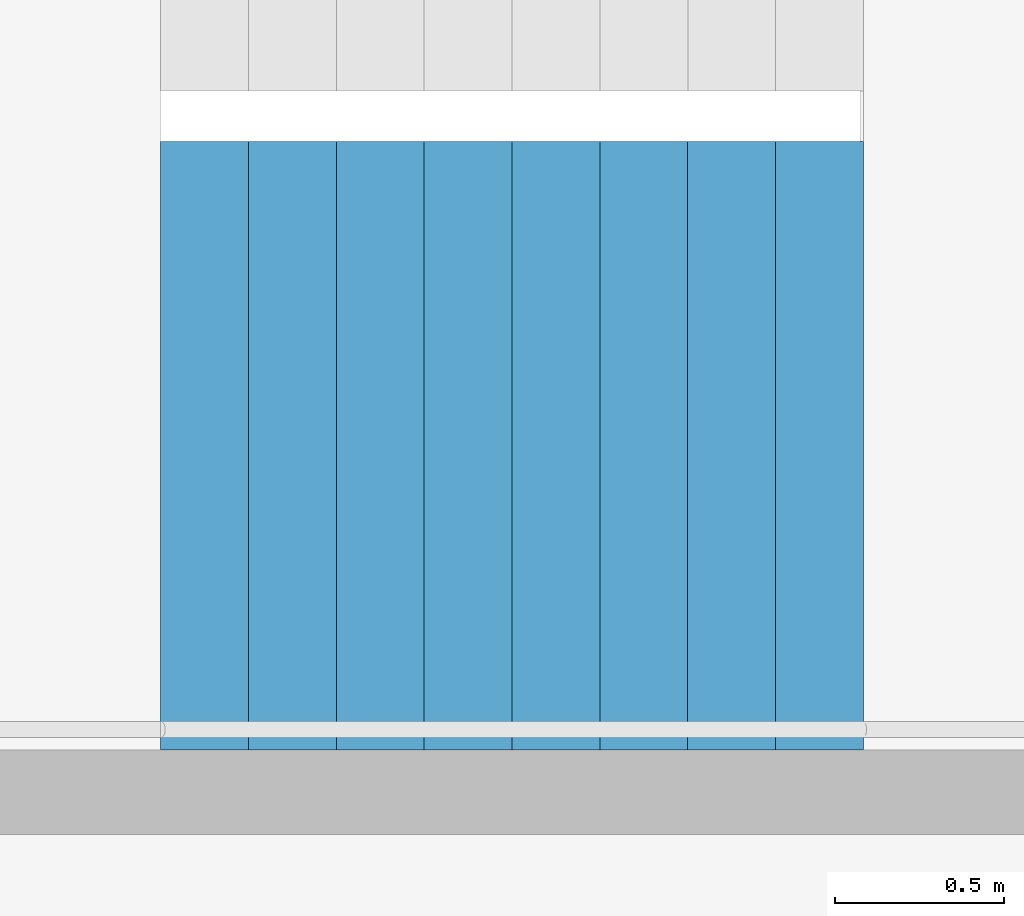
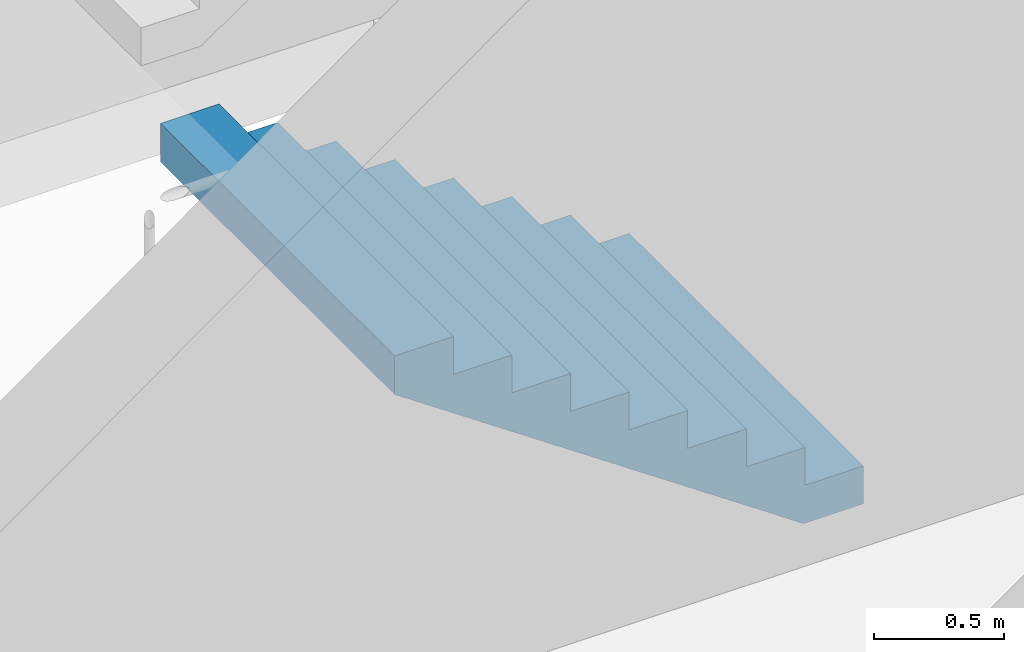
# One storey, part 27 of 41: 1 stair flight, 1 element without a shape of its own.
"""IFC4 building model written with IfcOpenShell, lengths in metres."""

from ifc_helpers import new_model, si_unit, direction, frame, origin, place, context, subcontext, project, spatial, triangles, material, type_object, element, aggregate, save


model = new_model("IFC4")

# Units and contexts
model_context = context("Model", 3, precision=1e-05, world=origin(), true_north=direction((0.0, 1.0)))
body_context = subcontext(model_context, "Body", "Model", "MODEL_VIEW")
ifc_project = project(units=[si_unit("LENGTHUNIT", "METRE"), si_unit("AREAUNIT", "SQUARE_METRE"), si_unit("VOLUMEUNIT", "CUBIC_METRE"), si_unit("PLANEANGLEUNIT", "RADIAN"), si_unit("MASSUNIT", "GRAM", prefix="KILO")], contexts=[model_context])

# Site, building, storey
site_placement = place(None, origin())
site = spatial("IfcSite", under=ifc_project, at=site_placement, CompositionType="ELEMENT")
building_placement = place(site_placement, origin())
building = spatial("IfcBuilding", under=site, at=building_placement, Name="Hakoniwa Tower and Hamabe Station Hall", CompositionType="ELEMENT")
storey_placement = place(building_placement, frame((0.0, 0.0, 180.199951171875)))
storey = spatial("IfcBuildingStorey", under=building, at=storey_placement, Name="L51", CompositionType="ELEMENT", Elevation=180.199951171875)

# Stair, stair flight
ifc_material_1 = material(Name="Concrete C40", Category="concrete")
stair_type = type_object("IfcStairType", Name="ESCAPE STAIR 1800", PredefinedType="HALF_TURN_STAIR", material=ifc_material_1)
stair_placement = place(storey_placement, origin())
stair = element("IfcStair", 1, at=stair_placement, inside=storey, type_object=stair_type, Name="Escape stair ST-3 L51", PredefinedType="HALF_TURN_STAIR")
ifc_material_2 = material(Name="Concrete C40", Category="concrete")
stair_flight_type = type_object("IfcStairFlightType", Name="STAIR FLIGHT 1800", PredefinedType="STRAIGHT", material=ifc_material_2)
stair_flight_placement = place(storey_placement, frame((24.39990234375, 4.64990234375, 0.0), z_axis=(0.0, 0.0, 1.0), x_axis=(-1.0, 0.0, 0.0)))
stair_flight = element("IfcStairFlight", 2, at=stair_flight_placement, type_object=stair_flight_type, Name="ST-3 flight 1", NumberOfRisers=9, NumberOfTreads=8, PredefinedType="STRAIGHT", RiserHeight=0.177777778, TreadLength=0.26, context=body_context, shape_type="Tessellation", body=[
    triangles([(0.0, 0.89990234375, 0.0), (0.260009765625, 0.89990234375, 0.0), (0.265625, 0.89990234375, 0.0), (0.52001953125, 0.89990234375, 0.174072265625), (0.780029296875, 0.89990234375, 0.351806640625), (1.0400390625, 0.89990234375, 0.529541015625), (1.300048828125, 0.89990234375, 0.707275390625), (1.56005859375, 0.89990234375, 0.885009765625), (1.820068359375, 0.89990234375, 1.062744140625), (2.080078125, 0.89990234375, 1.24072265625), (2.080078125, 0.89990234375, 1.422119140625), (1.820068359375, 0.89990234375, 1.422119140625), (1.820068359375, 0.89990234375, 1.244384765625), (1.56005859375, 0.89990234375, 1.244384765625), (1.56005859375, 0.89990234375, 1.066650390625), (1.300048828125, 0.89990234375, 1.066650390625), (1.300048828125, 0.89990234375, 0.888916015625), (1.0400390625, 0.89990234375, 0.888916015625), (1.0400390625, 0.89990234375, 0.711181640625), (0.780029296875, 0.89990234375, 0.711181640625), (0.780029296875, 0.89990234375, 0.533447265625), (0.52001953125, 0.89990234375, 0.533447265625), (0.52001953125, 0.89990234375, 0.35546875), (0.265625, 0.89990234375, 0.35546875), (0.260009765625, 0.89990234375, 0.35546875), (0.260009765625, 0.89990234375, 0.177734375), (0.0, 0.89990234375, 0.177734375), (0.0, 0.06005859375, 0.0), (0.260009765625, 0.06005859375, 0.0), (0.265625, 0.06005859375, 0.0), (0.52001953125, 0.06005859375, 0.174072265625), (0.780029296875, 0.06005859375, 0.351806640625), (1.0400390625, 0.06005859375, 0.529541015625), (1.300048828125, 0.06005859375, 0.707275390625), (1.56005859375, 0.06005859375, 0.885009765625), (1.820068359375, 0.06005859375, 1.062744140625), (2.080078125, 0.06005859375, 1.24072265625), (2.080078125, 0.06005859375, 1.422119140625), (1.820068359375, 0.06005859375, 1.422119140625), (1.820068359375, 0.06005859375, 1.244384765625), (1.56005859375, 0.06005859375, 1.244384765625), (1.56005859375, 0.06005859375, 1.066650390625), (1.300048828125, 0.06005859375, 1.066650390625), (1.300048828125, 0.06005859375, 0.888916015625), (1.0400390625, 0.06005859375, 0.888916015625), (1.0400390625, 0.06005859375, 0.711181640625), (0.780029296875, 0.06005859375, 0.711181640625), (0.780029296875, 0.06005859375, 0.533447265625), (0.52001953125, 0.06005859375, 0.533447265625), (0.52001953125, 0.06005859375, 0.35546875), (0.265625, 0.06005859375, 0.35546875), (0.260009765625, 0.06005859375, 0.35546875), (0.260009765625, 0.06005859375, 0.177734375), (0.0, 0.06005859375, 0.177734375), (0.0, 0.04296875, 0.0), (0.260009765625, 0.04296875, 0.0), (0.265625, 0.04296875, 0.0), (0.52001953125, 0.04296875, 0.174072265625), (0.780029296875, 0.04296875, 0.351806640625), (1.0400390625, 0.04296875, 0.529541015625), (1.300048828125, 0.04296875, 0.707275390625), (1.56005859375, 0.04296875, 0.885009765625), (1.820068359375, 0.04296875, 1.062744140625), (2.080078125, 0.04296875, 1.24072265625), (2.080078125, 0.04296875, 1.422119140625), (1.820068359375, 0.04296875, 1.422119140625), (1.820068359375, 0.04296875, 1.244384765625), (1.56005859375, 0.04296875, 1.244384765625), (1.56005859375, 0.04296875, 1.066650390625), (1.300048828125, 0.04296875, 1.066650390625), (1.300048828125, 0.04296875, 0.888916015625), (1.0400390625, 0.04296875, 0.888916015625), (1.0400390625, 0.04296875, 0.711181640625), (0.780029296875, 0.04296875, 0.711181640625), (0.780029296875, 0.04296875, 0.533447265625), (0.52001953125, 0.04296875, 0.533447265625), (0.52001953125, 0.04296875, 0.35546875), (0.265625, 0.04296875, 0.35546875), (0.260009765625, 0.04296875, 0.35546875), (0.260009765625, 0.04296875, 0.177734375), (0.0, 0.04296875, 0.177734375), (0.0, 0.025634765625, 0.0), (0.260009765625, 0.025634765625, 0.0), (0.265625, 0.025634765625, 0.0), (0.52001953125, 0.025634765625, 0.174072265625), (0.780029296875, 0.025634765625, 0.351806640625), (1.0400390625, 0.025634765625, 0.529541015625), (1.300048828125, 0.025634765625, 0.707275390625), (1.56005859375, 0.025634765625, 0.885009765625), (1.820068359375, 0.025634765625, 1.062744140625), (2.080078125, 0.025634765625, 1.24072265625), (2.080078125, 0.025634765625, 1.422119140625), (1.820068359375, 0.025634765625, 1.422119140625), (1.820068359375, 0.025634765625, 1.244384765625), (1.56005859375, 0.025634765625, 1.244384765625), (1.56005859375, 0.025634765625, 1.066650390625), (1.300048828125, 0.025634765625, 1.066650390625), (1.300048828125, 0.025634765625, 0.888916015625), (1.0400390625, 0.025634765625, 0.888916015625), (1.0400390625, 0.025634765625, 0.711181640625), (0.780029296875, 0.025634765625, 0.711181640625), (0.780029296875, 0.025634765625, 0.533447265625), (0.52001953125, 0.025634765625, 0.533447265625), (0.52001953125, 0.025634765625, 0.35546875), (0.265625, 0.025634765625, 0.35546875), (0.260009765625, 0.025634765625, 0.35546875), (0.260009765625, 0.025634765625, 0.177734375), (0.0, 0.025634765625, 0.177734375), (0.0, 0.008544921875, 0.0), (0.260009765625, 0.008544921875, 0.0), (0.265625, 0.008544921875, 0.0), (0.52001953125, 0.008544921875, 0.174072265625), (0.780029296875, 0.008544921875, 0.351806640625), (1.0400390625, 0.008544921875, 0.529541015625), (1.300048828125, 0.008544921875, 0.707275390625), (1.56005859375, 0.008544921875, 0.885009765625), (1.820068359375, 0.008544921875, 1.062744140625), (2.080078125, 0.008544921875, 1.24072265625), (2.080078125, 0.008544921875, 1.422119140625), (1.820068359375, 0.008544921875, 1.422119140625), (1.820068359375, 0.008544921875, 1.244384765625), (1.56005859375, 0.008544921875, 1.244384765625), (1.56005859375, 0.008544921875, 1.066650390625), (1.300048828125, 0.008544921875, 1.066650390625), (1.300048828125, 0.008544921875, 0.888916015625), (1.0400390625, 0.008544921875, 0.888916015625), (1.0400390625, 0.008544921875, 0.711181640625), (0.780029296875, 0.008544921875, 0.711181640625), (0.780029296875, 0.008544921875, 0.533447265625), (0.52001953125, 0.008544921875, 0.533447265625), (0.52001953125, 0.008544921875, 0.35546875), (0.265625, 0.008544921875, 0.35546875), (0.260009765625, 0.008544921875, 0.35546875), (0.260009765625, 0.008544921875, 0.177734375), (0.0, 0.008544921875, 0.177734375), (0.0, -0.008544921875, 0.0), (0.260009765625, -0.008544921875, 0.0), (0.265625, -0.008544921875, 0.0), (0.52001953125, -0.008544921875, 0.174072265625), (0.780029296875, -0.008544921875, 0.351806640625), (1.0400390625, -0.008544921875, 0.529541015625), (1.300048828125, -0.008544921875, 0.707275390625), (1.56005859375, -0.008544921875, 0.885009765625), (1.820068359375, -0.008544921875, 1.062744140625), (2.080078125, -0.008544921875, 1.24072265625), (2.080078125, -0.008544921875, 1.422119140625), (1.820068359375, -0.008544921875, 1.422119140625), (1.820068359375, -0.008544921875, 1.244384765625), (1.56005859375, -0.008544921875, 1.244384765625), (1.56005859375, -0.008544921875, 1.066650390625), (1.300048828125, -0.008544921875, 1.066650390625), (1.300048828125, -0.008544921875, 0.888916015625), (1.0400390625, -0.008544921875, 0.888916015625), (1.0400390625, -0.008544921875, 0.711181640625), (0.780029296875, -0.008544921875, 0.711181640625), (0.780029296875, -0.008544921875, 0.533447265625), (0.52001953125, -0.008544921875, 0.533447265625), (0.52001953125, -0.008544921875, 0.35546875), (0.265625, -0.008544921875, 0.35546875), (0.260009765625, -0.008544921875, 0.35546875), (0.260009765625, -0.008544921875, 0.177734375), (0.0, -0.008544921875, 0.177734375), (0.0, -0.025634765625, 0.0), (0.260009765625, -0.025634765625, 0.0), (0.265625, -0.025634765625, 0.0), (0.52001953125, -0.025634765625, 0.174072265625), (0.780029296875, -0.025634765625, 0.351806640625), (1.0400390625, -0.025634765625, 0.529541015625), (1.300048828125, -0.025634765625, 0.707275390625), (1.56005859375, -0.025634765625, 0.885009765625), (1.820068359375, -0.025634765625, 1.062744140625), (2.080078125, -0.025634765625, 1.24072265625), (2.080078125, -0.025634765625, 1.422119140625), (1.820068359375, -0.025634765625, 1.422119140625), (1.820068359375, -0.025634765625, 1.244384765625), (1.56005859375, -0.025634765625, 1.244384765625), (1.56005859375, -0.025634765625, 1.066650390625), (1.300048828125, -0.025634765625, 1.066650390625), (1.300048828125, -0.025634765625, 0.888916015625), (1.0400390625, -0.025634765625, 0.888916015625), (1.0400390625, -0.025634765625, 0.711181640625), (0.780029296875, -0.025634765625, 0.711181640625), (0.780029296875, -0.025634765625, 0.533447265625), (0.52001953125, -0.025634765625, 0.533447265625), (0.52001953125, -0.025634765625, 0.35546875), (0.265625, -0.025634765625, 0.35546875), (0.260009765625, -0.025634765625, 0.35546875), (0.260009765625, -0.025634765625, 0.177734375), (0.0, -0.025634765625, 0.177734375), (0.0, -0.04296875, 0.0), (0.260009765625, -0.04296875, 0.0), (0.265625, -0.04296875, 0.0), (0.52001953125, -0.04296875, 0.174072265625), (0.780029296875, -0.04296875, 0.351806640625), (1.0400390625, -0.04296875, 0.529541015625), (1.300048828125, -0.04296875, 0.707275390625), (1.56005859375, -0.04296875, 0.885009765625), (1.820068359375, -0.04296875, 1.062744140625), (2.080078125, -0.04296875, 1.24072265625), (2.080078125, -0.04296875, 1.422119140625), (1.820068359375, -0.04296875, 1.422119140625), (1.820068359375, -0.04296875, 1.244384765625), (1.56005859375, -0.04296875, 1.244384765625), (1.56005859375, -0.04296875, 1.066650390625), (1.300048828125, -0.04296875, 1.066650390625), (1.300048828125, -0.04296875, 0.888916015625), (1.0400390625, -0.04296875, 0.888916015625), (1.0400390625, -0.04296875, 0.711181640625), (0.780029296875, -0.04296875, 0.711181640625), (0.780029296875, -0.04296875, 0.533447265625), (0.52001953125, -0.04296875, 0.533447265625), (0.52001953125, -0.04296875, 0.35546875), (0.265625, -0.04296875, 0.35546875), (0.260009765625, -0.04296875, 0.35546875), (0.260009765625, -0.04296875, 0.177734375), (0.0, -0.04296875, 0.177734375), (0.0, -0.06005859375, 0.0), (0.260009765625, -0.06005859375, 0.0), (0.265625, -0.06005859375, 0.0), (0.52001953125, -0.06005859375, 0.174072265625), (0.780029296875, -0.06005859375, 0.351806640625), (1.0400390625, -0.06005859375, 0.529541015625), (1.300048828125, -0.06005859375, 0.707275390625), (1.56005859375, -0.06005859375, 0.885009765625), (1.820068359375, -0.06005859375, 1.062744140625), (2.080078125, -0.06005859375, 1.24072265625), (2.080078125, -0.06005859375, 1.422119140625), (1.820068359375, -0.06005859375, 1.422119140625), (1.820068359375, -0.06005859375, 1.244384765625), (1.56005859375, -0.06005859375, 1.244384765625), (1.56005859375, -0.06005859375, 1.066650390625), (1.300048828125, -0.06005859375, 1.066650390625), (1.300048828125, -0.06005859375, 0.888916015625), (1.0400390625, -0.06005859375, 0.888916015625), (1.0400390625, -0.06005859375, 0.711181640625), (0.780029296875, -0.06005859375, 0.711181640625), (0.780029296875, -0.06005859375, 0.533447265625), (0.52001953125, -0.06005859375, 0.533447265625), (0.52001953125, -0.06005859375, 0.35546875), (0.265625, -0.06005859375, 0.35546875), (0.260009765625, -0.06005859375, 0.35546875), (0.260009765625, -0.06005859375, 0.177734375), (0.0, -0.06005859375, 0.177734375), (0.0, -0.89990234375, 0.0), (0.260009765625, -0.89990234375, 0.0), (0.265625, -0.89990234375, 0.0), (0.52001953125, -0.89990234375, 0.174072265625), (0.780029296875, -0.89990234375, 0.351806640625), (1.0400390625, -0.89990234375, 0.529541015625), (1.300048828125, -0.89990234375, 0.707275390625), (1.56005859375, -0.89990234375, 0.885009765625), (1.820068359375, -0.89990234375, 1.062744140625), (2.080078125, -0.89990234375, 1.24072265625), (2.080078125, -0.89990234375, 1.422119140625), (1.820068359375, -0.89990234375, 1.422119140625), (1.820068359375, -0.89990234375, 1.244384765625), (1.56005859375, -0.89990234375, 1.244384765625), (1.56005859375, -0.89990234375, 1.066650390625), (1.300048828125, -0.89990234375, 1.066650390625), (1.300048828125, -0.89990234375, 0.888916015625), (1.0400390625, -0.89990234375, 0.888916015625), (1.0400390625, -0.89990234375, 0.711181640625), (0.780029296875, -0.89990234375, 0.711181640625), (0.780029296875, -0.89990234375, 0.533447265625), (0.52001953125, -0.89990234375, 0.533447265625), (0.52001953125, -0.89990234375, 0.35546875), (0.265625, -0.89990234375, 0.35546875), (0.260009765625, -0.89990234375, 0.35546875), (0.260009765625, -0.89990234375, 0.177734375), (0.0, -0.89990234375, 0.177734375)], [[2, 27, 26], [245, 269, 270], [2, 1, 27], [245, 270, 244], [3, 25, 24], [246, 267, 268], [3, 26, 25], [246, 268, 269], [3, 2, 26], [246, 269, 245], [4, 24, 23], [247, 266, 267], [4, 3, 24], [247, 267, 246], [5, 22, 21], [248, 264, 265], [5, 23, 22], [248, 265, 266], [5, 4, 23], [248, 266, 247], [6, 20, 19], [249, 262, 263], [6, 21, 20], [249, 263, 264], [6, 5, 21], [249, 264, 248], [7, 18, 17], [250, 260, 261], [7, 19, 18], [250, 261, 262], [7, 6, 19], [250, 262, 249], [8, 16, 15], [251, 258, 259], [8, 17, 16], [251, 259, 260], [8, 7, 17], [251, 260, 250], [9, 14, 13], [252, 256, 257], [9, 15, 14], [252, 257, 258], [9, 8, 15], [252, 258, 251], [10, 12, 11], [253, 254, 255], [10, 13, 12], [253, 255, 256], [10, 9, 13], [253, 256, 252], [1, 2, 29], [1, 29, 28], [28, 29, 56], [28, 56, 55], [55, 56, 83], [55, 83, 82], [82, 83, 110], [82, 110, 109], [109, 110, 137], [109, 137, 136], [136, 137, 164], [136, 164, 163], [163, 164, 191], [163, 191, 190], [190, 191, 218], [190, 218, 217], [217, 218, 245], [217, 245, 244], [2, 3, 30], [2, 30, 29], [29, 30, 57], [29, 57, 56], [56, 57, 84], [56, 84, 83], [83, 84, 111], [83, 111, 110], [110, 111, 138], [110, 138, 137], [137, 138, 165], [137, 165, 164], [164, 165, 192], [164, 192, 191], [191, 192, 219], [191, 219, 218], [218, 219, 246], [218, 246, 245], [3, 4, 31], [3, 31, 30], [30, 31, 58], [30, 58, 57], [57, 58, 85], [57, 85, 84], [84, 85, 112], [84, 112, 111], [111, 112, 139], [111, 139, 138], [138, 139, 166], [138, 166, 165], [165, 166, 193], [165, 193, 192], [192, 193, 220], [192, 220, 219], [219, 220, 247], [219, 247, 246], [4, 5, 32], [4, 32, 31], [31, 32, 59], [31, 59, 58], [58, 59, 86], [58, 86, 85], [85, 86, 113], [85, 113, 112], [112, 113, 140], [112, 140, 139], [139, 140, 167], [139, 167, 166], [166, 167, 194], [166, 194, 193], [193, 194, 221], [193, 221, 220], [220, 221, 248], [220, 248, 247], [5, 6, 33], [5, 33, 32], [32, 33, 60], [32, 60, 59], [59, 60, 87], [59, 87, 86], [86, 87, 114], [86, 114, 113], [113, 114, 141], [113, 141, 140], [140, 141, 168], [140, 168, 167], [167, 168, 195], [167, 195, 194], [194, 195, 222], [194, 222, 221], [221, 222, 249], [221, 249, 248], [6, 7, 34], [6, 34, 33], [33, 34, 61], [33, 61, 60], [60, 61, 88], [60, 88, 87], [87, 88, 115], [87, 115, 114], [114, 115, 142], [114, 142, 141], [141, 142, 169], [141, 169, 168], [168, 169, 196], [168, 196, 195], [195, 196, 223], [195, 223, 222], [222, 223, 250], [222, 250, 249], [7, 8, 35], [7, 35, 34], [34, 35, 62], [34, 62, 61], [61, 62, 89], [61, 89, 88], [88, 89, 116], [88, 116, 115], [115, 116, 143], [115, 143, 142], [142, 143, 170], [142, 170, 169], [169, 170, 197], [169, 197, 196], [196, 197, 224], [196, 224, 223], [223, 224, 251], [223, 251, 250], [8, 9, 36], [8, 36, 35], [35, 36, 63], [35, 63, 62], [62, 63, 90], [62, 90, 89], [89, 90, 117], [89, 117, 116], [116, 117, 144], [116, 144, 143], [143, 144, 171], [143, 171, 170], [170, 171, 198], [170, 198, 197], [197, 198, 225], [197, 225, 224], [224, 225, 252], [224, 252, 251], [9, 10, 37], [9, 37, 36], [36, 37, 64], [36, 64, 63], [63, 64, 91], [63, 91, 90], [90, 91, 118], [90, 118, 117], [117, 118, 145], [117, 145, 144], [144, 145, 172], [144, 172, 171], [171, 172, 199], [171, 199, 198], [198, 199, 226], [198, 226, 225], [225, 226, 253], [225, 253, 252], [10, 11, 38], [10, 38, 37], [37, 38, 65], [37, 65, 64], [64, 65, 92], [64, 92, 91], [91, 92, 119], [91, 119, 118], [118, 119, 146], [118, 146, 145], [145, 146, 173], [145, 173, 172], [172, 173, 200], [172, 200, 199], [199, 200, 227], [199, 227, 226], [226, 227, 254], [226, 254, 253], [11, 12, 39], [11, 39, 38], [38, 39, 66], [38, 66, 65], [65, 66, 93], [65, 93, 92], [92, 93, 120], [92, 120, 119], [119, 120, 147], [119, 147, 146], [146, 147, 174], [146, 174, 173], [173, 174, 201], [173, 201, 200], [200, 201, 228], [200, 228, 227], [227, 228, 255], [227, 255, 254], [12, 13, 40], [12, 40, 39], [39, 40, 67], [39, 67, 66], [66, 67, 94], [66, 94, 93], [93, 94, 121], [93, 121, 120], [120, 121, 148], [120, 148, 147], [147, 148, 175], [147, 175, 174], [174, 175, 202], [174, 202, 201], [201, 202, 229], [201, 229, 228], [228, 229, 256], [228, 256, 255], [13, 14, 41], [13, 41, 40], [40, 41, 68], [40, 68, 67], [67, 68, 95], [67, 95, 94], [94, 95, 122], [94, 122, 121], [121, 122, 149], [121, 149, 148], [148, 149, 176], [148, 176, 175], [175, 176, 203], [175, 203, 202], [202, 203, 230], [202, 230, 229], [229, 230, 257], [229, 257, 256], [14, 15, 42], [14, 42, 41], [41, 42, 69], [41, 69, 68], [68, 69, 96], [68, 96, 95], [95, 96, 123], [95, 123, 122], [122, 123, 150], [122, 150, 149], [149, 150, 177], [149, 177, 176], [176, 177, 204], [176, 204, 203], [203, 204, 231], [203, 231, 230], [230, 231, 258], [230, 258, 257], [15, 16, 43], [15, 43, 42], [42, 43, 70], [42, 70, 69], [69, 70, 97], [69, 97, 96], [96, 97, 124], [96, 124, 123], [123, 124, 151], [123, 151, 150], [150, 151, 178], [150, 178, 177], [177, 178, 205], [177, 205, 204], [204, 205, 232], [204, 232, 231], [231, 232, 259], [231, 259, 258], [16, 17, 44], [16, 44, 43], [43, 44, 71], [43, 71, 70], [70, 71, 98], [70, 98, 97], [97, 98, 125], [97, 125, 124], [124, 125, 152], [124, 152, 151], [151, 152, 179], [151, 179, 178], [178, 179, 206], [178, 206, 205], [205, 206, 233], [205, 233, 232], [232, 233, 260], [232, 260, 259], [17, 18, 45], [17, 45, 44], [44, 45, 72], [44, 72, 71], [71, 72, 99], [71, 99, 98], [98, 99, 126], [98, 126, 125], [125, 126, 153], [125, 153, 152], [152, 153, 180], [152, 180, 179], [179, 180, 207], [179, 207, 206], [206, 207, 234], [206, 234, 233], [233, 234, 261], [233, 261, 260], [18, 19, 46], [18, 46, 45], [45, 46, 73], [45, 73, 72], [72, 73, 100], [72, 100, 99], [99, 100, 127], [99, 127, 126], [126, 127, 154], [126, 154, 153], [153, 154, 181], [153, 181, 180], [180, 181, 208], [180, 208, 207], [207, 208, 235], [207, 235, 234], [234, 235, 262], [234, 262, 261], [19, 20, 47], [19, 47, 46], [46, 47, 74], [46, 74, 73], [73, 74, 101], [73, 101, 100], [100, 101, 128], [100, 128, 127], [127, 128, 155], [127, 155, 154], [154, 155, 182], [154, 182, 181], [181, 182, 209], [181, 209, 208], [208, 209, 236], [208, 236, 235], [235, 236, 263], [235, 263, 262], [20, 21, 48], [20, 48, 47], [47, 48, 75], [47, 75, 74], [74, 75, 102], [74, 102, 101], [101, 102, 129], [101, 129, 128], [128, 129, 156], [128, 156, 155], [155, 156, 183], [155, 183, 182], [182, 183, 210], [182, 210, 209], [209, 210, 237], [209, 237, 236], [236, 237, 264], [236, 264, 263], [21, 22, 49], [21, 49, 48], [48, 49, 76], [48, 76, 75], [75, 76, 103], [75, 103, 102], [102, 103, 130], [102, 130, 129], [129, 130, 157], [129, 157, 156], [156, 157, 184], [156, 184, 183], [183, 184, 211], [183, 211, 210], [210, 211, 238], [210, 238, 237], [237, 238, 265], [237, 265, 264], [22, 23, 50], [22, 50, 49], [49, 50, 77], [49, 77, 76], [76, 77, 104], [76, 104, 103], [103, 104, 131], [103, 131, 130], [130, 131, 158], [130, 158, 157], [157, 158, 185], [157, 185, 184], [184, 185, 212], [184, 212, 211], [211, 212, 239], [211, 239, 238], [238, 239, 266], [238, 266, 265], [23, 24, 51], [23, 51, 50], [50, 51, 78], [50, 78, 77], [77, 78, 105], [77, 105, 104], [104, 105, 132], [104, 132, 131], [131, 132, 159], [131, 159, 158], [158, 159, 186], [158, 186, 185], [185, 186, 213], [185, 213, 212], [212, 213, 240], [212, 240, 239], [239, 240, 267], [239, 267, 266], [24, 25, 52], [24, 52, 51], [51, 52, 79], [51, 79, 78], [78, 79, 106], [78, 106, 105], [105, 106, 133], [105, 133, 132], [132, 133, 160], [132, 160, 159], [159, 160, 187], [159, 187, 186], [186, 187, 214], [186, 214, 213], [213, 214, 241], [213, 241, 240], [240, 241, 268], [240, 268, 267], [25, 26, 53], [25, 53, 52], [52, 53, 80], [52, 80, 79], [79, 80, 107], [79, 107, 106], [106, 107, 134], [106, 134, 133], [133, 134, 161], [133, 161, 160], [160, 161, 188], [160, 188, 187], [187, 188, 215], [187, 215, 214], [214, 215, 242], [214, 242, 241], [241, 242, 269], [241, 269, 268], [26, 27, 54], [26, 54, 53], [53, 54, 81], [53, 81, 80], [80, 81, 108], [80, 108, 107], [107, 108, 135], [107, 135, 134], [134, 135, 162], [134, 162, 161], [161, 162, 189], [161, 189, 188], [188, 189, 216], [188, 216, 215], [215, 216, 243], [215, 243, 242], [242, 243, 270], [242, 270, 269], [27, 1, 28], [27, 28, 54], [54, 28, 55], [54, 55, 81], [81, 55, 82], [81, 82, 108], [108, 82, 109], [108, 109, 135], [135, 109, 136], [135, 136, 162], [162, 136, 163], [162, 163, 189], [189, 163, 190], [189, 190, 216], [216, 190, 217], [216, 217, 243], [243, 217, 244], [243, 244, 270]], closed=True),
])
aggregate(stair, [stair_flight])

save(model, "model.ifc")
